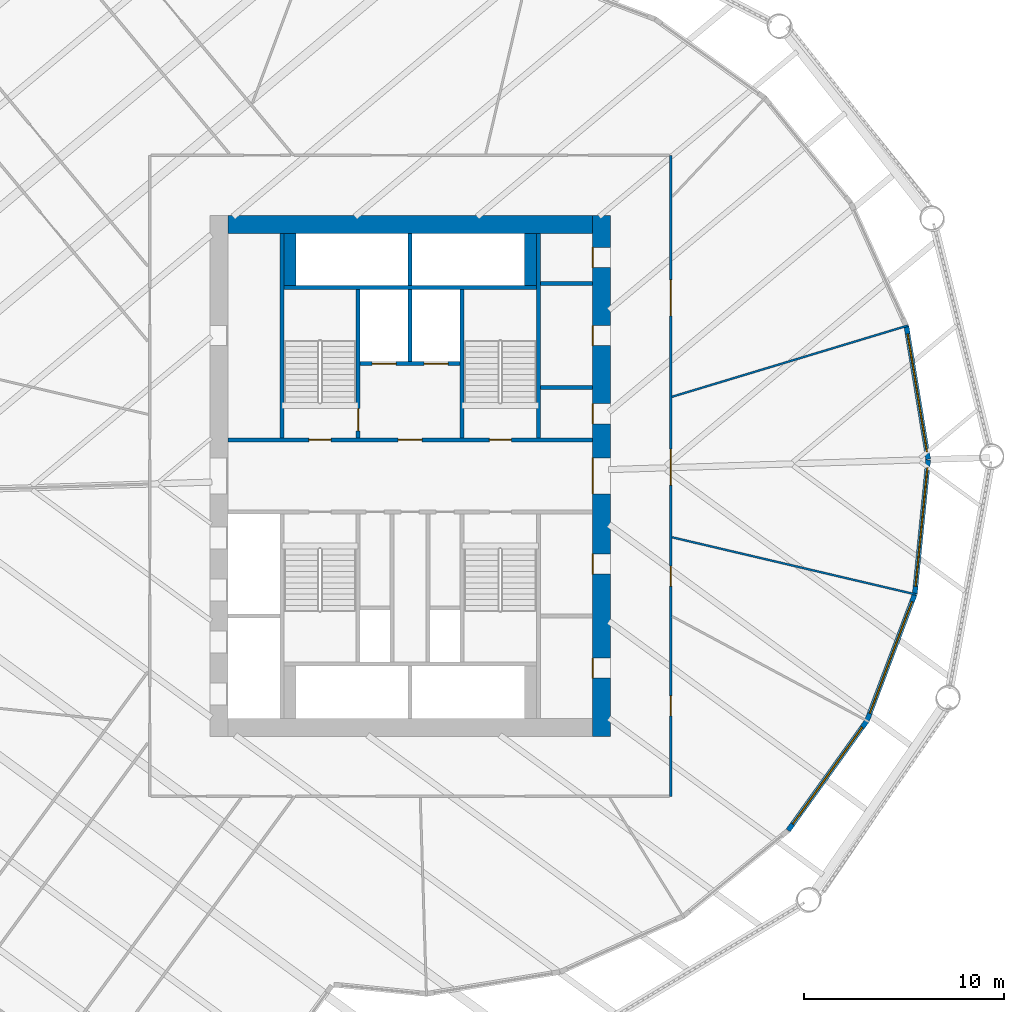
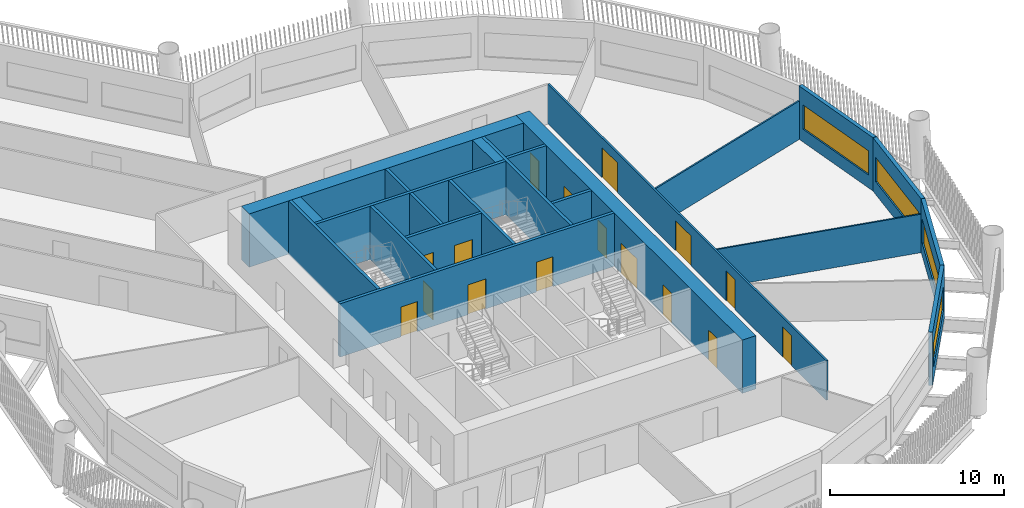
# One storey, part 5 of 15: 22 walls, 16 doors, 4 windows, 20 openings.
"""IFC4 building model written with IfcOpenShell, lengths in metres."""

from ifc_helpers import new_model, si_unit, direction, frame, frame_2d, origin, place, context, subcontext, project, spatial, rectangle, extrude, material, layer, layer_set, type_object, element, fill, save


model = new_model("IFC4")

# Units and contexts
model_context = context("Model", 3, precision=1e-05, world=origin(), true_north=direction((0.0, 1.0)))
body_context = subcontext(model_context, "Body", "Model", "MODEL_VIEW")
ifc_project = project(units=[si_unit("LENGTHUNIT", "METRE"), si_unit("AREAUNIT", "SQUARE_METRE"), si_unit("VOLUMEUNIT", "CUBIC_METRE"), si_unit("PLANEANGLEUNIT", "RADIAN"), si_unit("MASSUNIT", "GRAM", prefix="KILO")], contexts=[model_context])

# Site, building, storey
site_placement = place(None, origin())
site = spatial("IfcSite", under=ifc_project, at=site_placement, CompositionType="ELEMENT")
building_placement = place(site_placement, origin())
building = spatial("IfcBuilding", under=site, at=building_placement, Name="Tarsis Ring Headquarters", CompositionType="ELEMENT")
storey_placement = place(building_placement, frame((0.0, 0.0, 43.89990234375)))
storey = spatial("IfcBuildingStorey", under=building, at=storey_placement, Name="L08", CompositionType="ELEMENT", Elevation=43.89990234375)

# Walls
ifc_material_1 = material(Name="Blockwork", Category="masonry")
ifc_layer_1 = layer(ifc_material_1, 0.199951171875)
ifc_layer_set_1 = layer_set([ifc_layer_1], Name="Core blockwork wall 200")
wall_type_1 = type_object("IfcWallType", Name="Core blockwork wall 200", PredefinedType="PARTITIONING", material=ifc_layer_set_1)
for number, where, z_axis, x_axis, name in (
    (1, (6.5, 4.39990234375, 0.0), (0.0, 0.0, 1.0), (1.0, 0.0, 0.0), "Core partition ED5"),
    (2, (6.5, 9.60009765625, 0.0), (0.0, 0.0, 1.0), (1.0, 0.0, 0.0), "Core partition ED7"),
):
    element("IfcWall", number, at=place(storey_placement, frame(where, z_axis=z_axis, x_axis=x_axis)), inside=storey, type_object=wall_type_1, Name=name, PredefinedType="PARTITIONING", context=body_context, shape_type="SweptSolid", body=[
        extrude(rectangle(XDim=2.60009765625, YDim=0.199951171875, at=frame_2d((1.300048828125, 0.0))), origin(), (0.0, 0.0, 1.0), 3.739990234375),
    ])

# Wall, openings, doors
ifc_material_2 = material(Name="Concrete C60/75", Category="concrete")
ifc_layer_2 = layer(ifc_material_2, 0.89990234375)
ifc_layer_set_2 = layer_set([ifc_layer_2], Name="Core wall 900 C60/75")
wall_type_2 = type_object("IfcWallType", Name="Core wall 900 C60/75", PredefinedType="SHEAR", material=ifc_layer_set_2)
wall_1_placement = place(storey_placement, frame((9.550048828125, -13.0, 0.0), z_axis=(0.0, 0.0, 1.0), x_axis=(0.0, 1.0, 0.0)))
wall_1 = element("IfcWall", 3, at=wall_1_placement, inside=storey, type_object=wall_type_2, Name="Core wall OE", PredefinedType="SHEAR", context=body_context, shape_type="SweptSolid", body=[
    extrude(rectangle(XDim=26.0, YDim=0.89990234375, at=frame_2d((13.0, 0.0))), origin(), (0.0, 0.0, 1.0), 3.739990234375),
])
opening_1_placement = place(wall_1_placement, frame((2.89990234375, 0.0, 0.0)))
opening_1 = element("IfcOpeningElement", 4, at=opening_1_placement, cuts=wall_1, Name="Opening L08-C07", PredefinedType="OPENING", context=body_context, shape_type="SweptSolid", body=[
    extrude(rectangle(XDim=1.0, YDim=2.10009765625, at=frame_2d((0.5, 1.050048828125))), frame((0.0, 0.4599609375, 0.0), z_axis=(0.0, -1.0, 0.0), x_axis=(1.0, 0.0, 0.0)), (0.0, 0.0, 1.0), 0.919921875),
])
opening_2_placement = place(wall_1_placement, frame((8.10009765625, 0.0, 0.0)))
opening_2 = element("IfcOpeningElement", 5, at=opening_2_placement, cuts=wall_1, Name="Opening L08-C08", PredefinedType="OPENING", context=body_context, shape_type="SweptSolid", body=[
    extrude(rectangle(XDim=1.0, YDim=2.10009765625, at=frame_2d((0.5, 1.050048828125))), frame((0.0, 0.4599609375, 0.0), z_axis=(0.0, -1.0, 0.0), x_axis=(1.0, 0.0, 0.0)), (0.0, 0.0, 1.0), 0.919921875),
])
opening_3_placement = place(wall_1_placement, frame((12.10009765625, 0.0, 0.0)))
opening_3 = element("IfcOpeningElement", 6, at=opening_3_placement, cuts=wall_1, Name="Opening L08-C09", PredefinedType="OPENING", context=body_context, shape_type="SweptSolid", body=[
    extrude(rectangle(XDim=1.800048828125, YDim=2.10009765625, at=frame_2d((0.89990234375, 1.050048828125))), frame((0.0, 0.4599609375, 0.0), z_axis=(0.0, -1.0, 0.0), x_axis=(1.0, 0.0, 0.0)), (0.0, 0.0, 1.0), 0.919921875),
])
opening_4_placement = place(wall_1_placement, frame((15.60009765625, 0.0, 0.0)))
opening_4 = element("IfcOpeningElement", 7, at=opening_4_placement, cuts=wall_1, Name="Opening L08-C10", PredefinedType="OPENING", context=body_context, shape_type="SweptSolid", body=[
    extrude(rectangle(XDim=1.0, YDim=2.10009765625, at=frame_2d((0.5, 1.050048828125))), frame((0.0, 0.4599609375, 0.0), z_axis=(0.0, -1.0, 0.0), x_axis=(1.0, 0.0, 0.0)), (0.0, 0.0, 1.0), 0.919921875),
])
opening_5_placement = place(wall_1_placement, frame((19.5, 0.0, 0.0)))
opening_5 = element("IfcOpeningElement", 8, at=opening_5_placement, cuts=wall_1, Name="Opening L08-C11", PredefinedType="OPENING", context=body_context, shape_type="SweptSolid", body=[
    extrude(rectangle(XDim=1.0, YDim=2.10009765625, at=frame_2d((0.5, 1.050048828125))), frame((0.0, 0.4599609375, 0.0), z_axis=(0.0, -1.0, 0.0), x_axis=(1.0, 0.0, 0.0)), (0.0, 0.0, 1.0), 0.919921875),
])
opening_6_placement = place(wall_1_placement, frame((23.39990234375, 0.0, 0.0)))
opening_6 = element("IfcOpeningElement", 9, at=opening_6_placement, cuts=wall_1, Name="Opening L08-C12", PredefinedType="OPENING", context=body_context, shape_type="SweptSolid", body=[
    extrude(rectangle(XDim=1.0, YDim=2.10009765625, at=frame_2d((0.5, 1.050048828125))), frame((0.0, 0.4599609375, 0.0), z_axis=(0.0, -1.0, 0.0), x_axis=(1.0, 0.0, 0.0)), (0.0, 0.0, 1.0), 0.919921875),
])
ifc_material_3 = material(Name="Steel S355", Category="steel")
door_type_1 = type_object("IfcDoorType", Name="Core entry door 1800x2100", OperationType="DOUBLE_DOOR_SINGLE_SWING", PredefinedType="DOOR", material=ifc_material_3)
door_1_placement = place(opening_3_placement, origin())
door_1 = element("IfcDoor", 10, at=door_1_placement, inside=storey, type_object=door_type_1, Name="Core entry door L08", OperationType="DOUBLE_DOOR_SINGLE_SWING", OverallHeight=2.10009765625, OverallWidth=1.800048828125, PredefinedType="DOOR", context=body_context, shape_type="SweptSolid", body=[
    extrude(rectangle(XDim=1.800048828125, YDim=2.10009765625, at=frame_2d((0.89990234375, 1.050048828125))), frame((0.0, 0.4501953125, 0.0), z_axis=(0.0, -1.0, 0.0), x_axis=(1.0, 0.0, 0.0)), (0.0, 0.0, 1.0), 0.050048828125),
])
fill(opening_3, door_1)
door_type_2 = type_object("IfcDoorType", Name="Core room door 1000x2100", OperationType="SINGLE_SWING_LEFT", PredefinedType="DOOR", material=ifc_material_3)
door_2_placement = place(opening_1_placement, origin())
door_2 = element("IfcDoor", 11, at=door_2_placement, inside=storey, type_object=door_type_2, Name="Core room door L08", OperationType="SINGLE_SWING_LEFT", OverallHeight=2.10009765625, OverallWidth=1.0, PredefinedType="DOOR", context=body_context, shape_type="SweptSolid", body=[
    extrude(rectangle(XDim=1.0, YDim=2.10009765625, at=frame_2d((0.5, 1.050048828125))), frame((0.0, 0.4501953125, 0.0), z_axis=(0.0, -1.0, 0.0), x_axis=(1.0, 0.0, 0.0)), (0.0, 0.0, 1.0), 0.050048828125),
])
fill(opening_1, door_2)
door_3_placement = place(opening_2_placement, origin())
door_3 = element("IfcDoor", 12, at=door_3_placement, inside=storey, type_object=door_type_2, Name="Core room door L08", OperationType="SINGLE_SWING_LEFT", OverallHeight=2.10009765625, OverallWidth=1.0, PredefinedType="DOOR", context=body_context, shape_type="SweptSolid", body=[
    extrude(rectangle(XDim=1.0, YDim=2.10009765625, at=frame_2d((0.5, 1.050048828125))), frame((0.0, 0.4501953125, 0.0), z_axis=(0.0, -1.0, 0.0), x_axis=(1.0, 0.0, 0.0)), (0.0, 0.0, 1.0), 0.050048828125),
])
fill(opening_2, door_3)
door_4_placement = place(opening_4_placement, origin())
door_4 = element("IfcDoor", 13, at=door_4_placement, inside=storey, type_object=door_type_2, Name="Core room door L08", OperationType="SINGLE_SWING_LEFT", OverallHeight=2.10009765625, OverallWidth=1.0, PredefinedType="DOOR", context=body_context, shape_type="SweptSolid", body=[
    extrude(rectangle(XDim=1.0, YDim=2.10009765625, at=frame_2d((0.5, 1.050048828125))), frame((0.0, 0.4501953125, 0.0), z_axis=(0.0, -1.0, 0.0), x_axis=(1.0, 0.0, 0.0)), (0.0, 0.0, 1.0), 0.050048828125),
])
fill(opening_4, door_4)
door_5_placement = place(opening_5_placement, origin())
door_5 = element("IfcDoor", 14, at=door_5_placement, inside=storey, type_object=door_type_2, Name="Core room door L08", OperationType="SINGLE_SWING_LEFT", OverallHeight=2.10009765625, OverallWidth=1.0, PredefinedType="DOOR", context=body_context, shape_type="SweptSolid", body=[
    extrude(rectangle(XDim=1.0, YDim=2.10009765625, at=frame_2d((0.5, 1.050048828125))), frame((0.0, 0.4501953125, 0.0), z_axis=(0.0, -1.0, 0.0), x_axis=(1.0, 0.0, 0.0)), (0.0, 0.0, 1.0), 0.050048828125),
])
fill(opening_5, door_5)
door_6_placement = place(opening_6_placement, origin())
door_6 = element("IfcDoor", 15, at=door_6_placement, inside=storey, type_object=door_type_2, Name="Core room door L08", OperationType="SINGLE_SWING_LEFT", OverallHeight=2.10009765625, OverallWidth=1.0, PredefinedType="DOOR", context=body_context, shape_type="SweptSolid", body=[
    extrude(rectangle(XDim=1.0, YDim=2.10009765625, at=frame_2d((0.5, 1.050048828125))), frame((0.0, 0.4501953125, 0.0), z_axis=(0.0, -1.0, 0.0), x_axis=(1.0, 0.0, 0.0)), (0.0, 0.0, 1.0), 0.050048828125),
])
fill(opening_6, door_6)

# Walls
wall_2_placement = place(storey_placement, frame((-9.10009765625, 12.550048828125, 0.0), z_axis=(0.0, 0.0, 1.0), x_axis=(1.0, 0.0, 0.0)))
element("IfcWall", 16, at=wall_2_placement, inside=storey, type_object=wall_type_2, Name="Core wall ON", PredefinedType="SHEAR", context=body_context, shape_type="SweptSolid", body=[
    extrude(rectangle(XDim=18.2001953125, YDim=0.89990234375, at=frame_2d((9.10009765625, 0.0))), origin(), (0.0, 0.0, 1.0), 3.739990234375),
])
ifc_material_4 = material(Name="Gypsum board on steel studs", Category="steel")
ifc_layer_3 = layer(ifc_material_4, 0.10009765625)
ifc_layer_set_3 = layer_set([ifc_layer_3], Name="FL partition 100 unrated")
wall_type_3 = type_object("IfcWallType", Name="FL partition 100 unrated", PredefinedType="PARTITIONING", material=ifc_layer_set_3)
wall_3_placement = place(storey_placement, frame((13.068115234375, -3.065185546875, 0.0), z_axis=(0.0, 0.0, 1.0), x_axis=(0.973578742912, -0.228351552109, 0.0)))
element("IfcWall", 17, at=wall_3_placement, inside=storey, type_object=wall_type_3, Name="Partition PW3", PredefinedType="PARTITIONING", context=body_context, shape_type="SweptSolid", body=[
    extrude(rectangle(XDim=12.52490234375, YDim=0.10009765625, at=frame_2d((6.262451171875, 0.0))), origin(), (0.0, 0.0, 1.0), 2.7001953125),
])
wall_4_placement = place(storey_placement, frame((13.06689453125, 3.9453125, 0.0), z_axis=(0.0, 0.0, 1.0), x_axis=(0.957323254589, 0.289019352678, 0.0)))
element("IfcWall", 18, at=wall_4_placement, inside=storey, type_object=wall_type_3, Name="Partition PW3", PredefinedType="PARTITIONING", context=body_context, shape_type="SweptSolid", body=[
    extrude(rectangle(XDim=12.29833984375, YDim=0.10009765625, at=frame_2d((6.149169921875, 0.0))), origin(), (0.0, 0.0, 1.0), 2.7001953125),
])

# Wall, openings, doors
ifc_layer_4 = layer(ifc_material_4, 0.125)
ifc_layer_set_4 = layer_set([ifc_layer_4], Name="FL partition 125 EI 60 H2770")
wall_type_4 = type_object("IfcWallType", Name="FL partition 125 EI 60 H2770", PredefinedType="PARTITIONING", material=ifc_layer_set_4)
wall_5_placement = place(storey_placement, frame((13.0, -16.0, 0.0), z_axis=(0.0, 0.0, 1.0), x_axis=(0.0, 1.0, 0.0)))
wall_5 = element("IfcWall", 19, at=wall_5_placement, inside=storey, type_object=wall_type_4, Name="Partition PW1", PredefinedType="PARTITIONING", context=body_context, shape_type="SweptSolid", body=[
    extrude(rectangle(XDim=32.0, YDim=0.125, at=frame_2d((16.0, 0.0))), origin(), (0.0, 0.0, 1.0), 2.77001953125),
])
opening_7_placement = place(wall_5_placement, frame((23.984375, 0.0, 0.0)))
opening_7 = element("IfcOpeningElement", 20, at=opening_7_placement, cuts=wall_5, Name="Opening D08.06", PredefinedType="OPENING", context=body_context, shape_type="SweptSolid", body=[
    extrude(rectangle(XDim=1.800048828125, YDim=2.10009765625, at=frame_2d((0.89990234375, 1.050048828125))), frame((0.0, 0.072509765625, 0.0), z_axis=(0.0, -1.0, 0.0), x_axis=(1.0, 0.0, 0.0)), (0.0, 0.0, 1.0), 0.14501953125),
])
opening_8_placement = place(wall_5_placement, frame((15.537841796875, 0.0, 0.0)))
opening_8 = element("IfcOpeningElement", 21, at=opening_8_placement, cuts=wall_5, Name="Opening D08.07", PredefinedType="OPENING", context=body_context, shape_type="SweptSolid", body=[
    extrude(rectangle(XDim=1.800048828125, YDim=2.10009765625, at=frame_2d((0.89990234375, 1.050048828125))), frame((0.0, 0.072509765625, 0.0), z_axis=(0.0, -1.0, 0.0), x_axis=(1.0, 0.0, 0.0)), (0.0, 0.0, 1.0), 0.14501953125),
])
opening_9_placement = place(wall_5_placement, frame((10.490234375, 0.0, 0.0)))
opening_9 = element("IfcOpeningElement", 22, at=opening_9_placement, cuts=wall_5, Name="Opening D08.08", PredefinedType="OPENING", context=body_context, shape_type="SweptSolid", body=[
    extrude(rectangle(XDim=1.0, YDim=2.10009765625, at=frame_2d((0.5, 1.050048828125))), frame((0.0, 0.072509765625, 0.0), z_axis=(0.0, -1.0, 0.0), x_axis=(1.0, 0.0, 0.0)), (0.0, 0.0, 1.0), 0.14501953125),
])
opening_10_placement = place(wall_5_placement, frame((4.0146484375, 0.0, 0.0)))
opening_10 = element("IfcOpeningElement", 23, at=opening_10_placement, cuts=wall_5, Name="Opening D08.09", PredefinedType="OPENING", context=body_context, shape_type="SweptSolid", body=[
    extrude(rectangle(XDim=1.0, YDim=2.10009765625, at=frame_2d((0.5, 1.050048828125))), frame((0.0, 0.072509765625, 0.0), z_axis=(0.0, -1.0, 0.0), x_axis=(1.0, 0.0, 0.0)), (0.0, 0.0, 1.0), 0.14501953125),
])
ifc_material_5 = material(Name="Fire-rated timber door leaf in steel frame", Category="steel")
door_type_3 = type_object("IfcDoorType", Name="FL door FD60-1000", OperationType="NOTDEFINED", PredefinedType="DOOR", material=ifc_material_5)
door_7_placement = place(opening_9_placement, origin())
door_7 = element("IfcDoor", 24, at=door_7_placement, inside=storey, type_object=door_type_3, Name="Door D08.08", OperationType="SINGLE_SWING_RIGHT", OverallHeight=2.10009765625, OverallWidth=1.0, PredefinedType="DOOR", context=body_context, shape_type="SweptSolid", body=[
    extrude(rectangle(XDim=1.0, YDim=2.10009765625, at=frame_2d((0.5, 1.050048828125))), frame((0.0, 0.02490234375, 0.0), z_axis=(0.0, -1.0, 0.0), x_axis=(1.0, 0.0, 0.0)), (0.0, 0.0, 1.0), 0.050048828125),
])
fill(opening_9, door_7)
door_8_placement = place(opening_10_placement, origin())
door_8 = element("IfcDoor", 25, at=door_8_placement, inside=storey, type_object=door_type_3, Name="Door D08.09", OperationType="SINGLE_SWING_LEFT", OverallHeight=2.10009765625, OverallWidth=1.0, PredefinedType="DOOR", context=body_context, shape_type="SweptSolid", body=[
    extrude(rectangle(XDim=1.0, YDim=2.10009765625, at=frame_2d((0.5, 1.050048828125))), frame((0.0, 0.02490234375, 0.0), z_axis=(0.0, -1.0, 0.0), x_axis=(1.0, 0.0, 0.0)), (0.0, 0.0, 1.0), 0.050048828125),
])
fill(opening_10, door_8)
door_type_4 = type_object("IfcDoorType", Name="FL door FD60-1800", OperationType="DOUBLE_DOOR_SINGLE_SWING", PredefinedType="DOOR", material=ifc_material_5)
door_9_placement = place(opening_7_placement, origin())
door_9 = element("IfcDoor", 26, at=door_9_placement, inside=storey, type_object=door_type_4, Name="Door D08.06", OperationType="DOUBLE_DOOR_SINGLE_SWING", OverallHeight=2.10009765625, OverallWidth=1.800048828125, PredefinedType="DOOR", context=body_context, shape_type="SweptSolid", body=[
    extrude(rectangle(XDim=1.800048828125, YDim=2.10009765625, at=frame_2d((0.89990234375, 1.050048828125))), frame((0.0, 0.02490234375, 0.0), z_axis=(0.0, -1.0, 0.0), x_axis=(1.0, 0.0, 0.0)), (0.0, 0.0, 1.0), 0.050048828125),
])
fill(opening_7, door_9)
door_10_placement = place(opening_8_placement, origin())
door_10 = element("IfcDoor", 27, at=door_10_placement, inside=storey, type_object=door_type_4, Name="Door D08.07", OperationType="DOUBLE_DOOR_SINGLE_SWING", OverallHeight=2.10009765625, OverallWidth=1.800048828125, PredefinedType="DOOR", context=body_context, shape_type="SweptSolid", body=[
    extrude(rectangle(XDim=1.800048828125, YDim=2.10009765625, at=frame_2d((0.89990234375, 1.050048828125))), frame((0.0, 0.02490234375, 0.0), z_axis=(0.0, -1.0, 0.0), x_axis=(1.0, 0.0, 0.0)), (0.0, 0.0, 1.0), 0.050048828125),
])
fill(opening_8, door_10)

# Wall, opening, window
ifc_material_6 = material(Name="Terracotta clad insulated panel wall", Category="masonry")
ifc_layer_5 = layer(ifc_material_6, 0.25)
ifc_layer_set_5 = layer_set([ifc_layer_5], Name="Facade wall terracotta panel 250")
wall_type_5 = type_object("IfcWallType", Name="Facade wall terracotta panel 250", PredefinedType="STANDARD", material=ifc_layer_set_5)
wall_6_placement = place(storey_placement, frame((18.870849609375, -17.698486328125, 0.0), z_axis=(0.0, 0.0, 1.0), x_axis=(0.583544737321, 0.812080993217, 0.0)))
wall_6 = element("IfcWall", 28, at=wall_6_placement, inside=storey, type_object=wall_type_5, Name="External wall L08-21", PredefinedType="STANDARD", context=body_context, shape_type="SweptSolid", body=[
    extrude(rectangle(XDim=6.7216796875, YDim=0.25, at=frame_2d((3.36083984375, 0.0))), origin(), (0.0, 0.0, 1.0), 3.739990234375),
])
opening_11_placement = place(wall_6_placement, frame((0.3857421875, 0.0, 0.89990234375)))
opening_11 = element("IfcOpeningElement", 29, at=opening_11_placement, cuts=wall_6, Name="Opening WN07", PredefinedType="OPENING", context=body_context, shape_type="SweptSolid", body=[
    extrude(rectangle(XDim=5.949951171875, YDim=1.699951171875, at=frame_2d((2.97509765625, 0.85009765625))), frame((0.0, 0.135009765625, 0.0), z_axis=(0.0, -1.0, 0.0), x_axis=(1.0, 0.0, 0.0)), (0.0, 0.0, 1.0), 0.27001953125),
])
ifc_material_7 = material(Name="Aluminium framed double glazing", Category="aluminium")
window_type = type_object("IfcWindowType", Name="Facade window 5950 x 1700", PartitioningType="SINGLE_PANEL", PredefinedType="WINDOW", material=ifc_material_7)
window_1_placement = place(opening_11_placement, origin())
window_1 = element("IfcWindow", 30, at=window_1_placement, inside=storey, type_object=window_type, Name="Window L08-21.1", OverallHeight=1.699951171875, OverallWidth=5.949951171875, PartitioningType="SINGLE_PANEL", PredefinedType="WINDOW", context=body_context, shape_type="SweptSolid", body=[
    extrude(rectangle(XDim=5.949951171875, YDim=1.699951171875, at=frame_2d((2.97509765625, 0.85009765625))), frame((0.0, 0.030029296875, 0.0), z_axis=(0.0, -1.0, 0.0), x_axis=(1.0, 0.0, 0.0)), (0.0, 0.0, 1.0), 0.06005859375),
])
fill(opening_11, window_1)

wall_7_placement = place(storey_placement, frame((22.80859375, -12.21142578125, 0.0), z_axis=(0.0, 0.0, 1.0), x_axis=(0.353486741967, 0.935439534793, 0.0)))
wall_7 = element("IfcWall", 31, at=wall_7_placement, inside=storey, type_object=wall_type_5, Name="External wall L08-22", PredefinedType="STANDARD", context=body_context, shape_type="SweptSolid", body=[
    extrude(rectangle(XDim=6.721435546875, YDim=0.25, at=frame_2d((3.36083984375, 0.0))), origin(), (0.0, 0.0, 1.0), 3.739990234375),
])
opening_12_placement = place(wall_7_placement, frame((0.3857421875, 0.0, 0.89990234375)))
opening_12 = element("IfcOpeningElement", 32, at=opening_12_placement, cuts=wall_7, Name="Opening WN07", PredefinedType="OPENING", context=body_context, shape_type="SweptSolid", body=[
    extrude(rectangle(XDim=5.949951171875, YDim=1.699951171875, at=frame_2d((2.97509765625, 0.85009765625))), frame((0.0, 0.135009765625, 0.0), z_axis=(0.0, -1.0, 0.0), x_axis=(1.0, 0.0, 0.0)), (0.0, 0.0, 1.0), 0.27001953125),
])
window_2_placement = place(opening_12_placement, origin())
window_2 = element("IfcWindow", 33, at=window_2_placement, inside=storey, type_object=window_type, Name="Window L08-22.1", OverallHeight=1.699951171875, OverallWidth=5.949951171875, PartitioningType="SINGLE_PANEL", PredefinedType="WINDOW", context=body_context, shape_type="SweptSolid", body=[
    extrude(rectangle(XDim=5.949951171875, YDim=1.699951171875, at=frame_2d((2.97509765625, 0.85009765625))), frame((0.0, 0.030029296875, 0.0), z_axis=(0.0, -1.0, 0.0), x_axis=(1.0, 0.0, 0.0)), (0.0, 0.0, 1.0), 0.06005859375),
])
fill(opening_12, window_2)

wall_8_placement = place(storey_placement, frame((25.19189453125, -5.891845703125, 0.0), z_axis=(0.0, 0.0, 1.0), x_axis=(0.099341885033, 0.995053360317, 0.0)))
wall_8 = element("IfcWall", 34, at=wall_8_placement, inside=storey, type_object=wall_type_5, Name="External wall L08-23", PredefinedType="STANDARD", context=body_context, shape_type="SweptSolid", body=[
    extrude(rectangle(XDim=6.721435546875, YDim=0.25, at=frame_2d((3.36083984375, 0.0))), origin(), (0.0, 0.0, 1.0), 3.739990234375),
])
opening_13_placement = place(wall_8_placement, frame((0.3857421875, 0.0, 0.89990234375)))
opening_13 = element("IfcOpeningElement", 35, at=opening_13_placement, cuts=wall_8, Name="Opening WN07", PredefinedType="OPENING", context=body_context, shape_type="SweptSolid", body=[
    extrude(rectangle(XDim=5.949951171875, YDim=1.699951171875, at=frame_2d((2.97509765625, 0.85009765625))), frame((0.0, 0.135009765625, 0.0), z_axis=(0.0, -1.0, 0.0), x_axis=(1.0, 0.0, 0.0)), (0.0, 0.0, 1.0), 0.27001953125),
])
window_3_placement = place(opening_13_placement, origin())
window_3 = element("IfcWindow", 36, at=window_3_placement, inside=storey, type_object=window_type, Name="Window L08-23.1", OverallHeight=1.699951171875, OverallWidth=5.949951171875, PartitioningType="SINGLE_PANEL", PredefinedType="WINDOW", context=body_context, shape_type="SweptSolid", body=[
    extrude(rectangle(XDim=5.949951171875, YDim=1.699951171875, at=frame_2d((2.97509765625, 0.85009765625))), frame((0.0, 0.030029296875, 0.0), z_axis=(0.0, -1.0, 0.0), x_axis=(1.0, 0.0, 0.0)), (0.0, 0.0, 1.0), 0.06005859375),
])
fill(opening_13, window_3)

wall_9_placement = place(storey_placement, frame((25.8583984375, 0.828857421875, 0.0), z_axis=(0.0, 0.0, 1.0), x_axis=(-0.161594690261, 0.986857211596, 0.0)))
wall_9 = element("IfcWall", 37, at=wall_9_placement, inside=storey, type_object=wall_type_5, Name="External wall L08-24", PredefinedType="STANDARD", context=body_context, shape_type="SweptSolid", body=[
    extrude(rectangle(XDim=6.7216796875, YDim=0.25, at=frame_2d((3.36083984375, 0.0))), origin(), (0.0, 0.0, 1.0), 3.739990234375),
])
opening_14_placement = place(wall_9_placement, frame((0.3857421875, 0.0, 0.89990234375)))
opening_14 = element("IfcOpeningElement", 38, at=opening_14_placement, cuts=wall_9, Name="Opening WN07", PredefinedType="OPENING", context=body_context, shape_type="SweptSolid", body=[
    extrude(rectangle(XDim=5.949951171875, YDim=1.699951171875, at=frame_2d((2.97509765625, 0.85009765625))), frame((0.0, 0.135009765625, 0.0), z_axis=(0.0, -1.0, 0.0), x_axis=(1.0, 0.0, 0.0)), (0.0, 0.0, 1.0), 0.27001953125),
])
window_4_placement = place(opening_14_placement, origin())
window_4 = element("IfcWindow", 39, at=window_4_placement, inside=storey, type_object=window_type, Name="Window L08-24.1", OverallHeight=1.699951171875, OverallWidth=5.949951171875, PartitioningType="SINGLE_PANEL", PredefinedType="WINDOW", context=body_context, shape_type="SweptSolid", body=[
    extrude(rectangle(XDim=5.949951171875, YDim=1.699951171875, at=frame_2d((2.97509765625, 0.85009765625))), frame((0.0, 0.030029296875, 0.0), z_axis=(0.0, -1.0, 0.0), x_axis=(1.0, 0.0, 0.0)), (0.0, 0.0, 1.0), 0.06005859375),
])
fill(opening_14, window_4)

# Walls
ifc_material_8 = material(Name="Concrete C32/40", Category="concrete")
ifc_layer_6 = layer(ifc_material_8, 0.60009765625)
ifc_layer_set_6 = layer_set([ifc_layer_6], Name="Shaft end wall 600 C32/40")
wall_type_6 = type_object("IfcWallType", Name="Shaft end wall 600 C32/40", PredefinedType="SOLIDWALL", material=ifc_layer_set_6)
for number, where, z_axis, x_axis, name in (
    (40, (-6.0, 9.5, 0.0), (0.0, 0.0, 1.0), (0.0, 1.0, 0.0), "Core shaft wall NNE1"),
    (41, (6.0, 9.5, 0.0), (0.0, 0.0, 1.0), (0.0, 1.0, 0.0), "Core shaft wall NNE2"),
):
    element("IfcWall", number, at=place(storey_placement, frame(where, z_axis=z_axis, x_axis=x_axis)), inside=storey, type_object=wall_type_6, Name=name, PredefinedType="SOLIDWALL", context=body_context, shape_type="SweptSolid", body=[
        extrude(rectangle(XDim=2.60009765625, YDim=0.60009765625, at=frame_2d((1.300048828125, 0.0))), origin(), (0.0, 0.0, 1.0), 3.739990234375),
    ])

# Wall, openings, doors
ifc_layer_7 = layer(ifc_material_8, 0.199951171875)
ifc_layer_set_7 = layer_set([ifc_layer_7], Name="Shaft wall 200 C32/40")
wall_type_7 = type_object("IfcWallType", Name="Shaft wall 200 C32/40", PredefinedType="SOLIDWALL", material=ifc_layer_set_7)
wall_10_placement = place(storey_placement, frame((-9.10009765625, 1.800048828125, 0.0), z_axis=(0.0, 0.0, 1.0), x_axis=(1.0, 0.0, 0.0)))
wall_10 = element("IfcWall", 42, at=wall_10_placement, inside=storey, type_object=wall_type_7, Name="Core shaft wall CN", PredefinedType="SOLIDWALL", context=body_context, shape_type="SweptSolid", body=[
    extrude(rectangle(XDim=18.2001953125, YDim=0.199951171875, at=frame_2d((9.10009765625, 0.0))), origin(), (0.0, 0.0, 1.0), 3.739990234375),
])
opening_15_placement = place(wall_10_placement, frame((4.050048828125, 0.0, 0.0)))
opening_15 = element("IfcOpeningElement", 43, at=opening_15_placement, cuts=wall_10, Name="Opening L08-C13", PredefinedType="OPENING", context=body_context, shape_type="SweptSolid", body=[
    extrude(rectangle(XDim=1.10009765625, YDim=2.10009765625, at=frame_2d((0.550048828125, 1.050048828125))), frame((0.0, 0.10986328125, 0.0), z_axis=(0.0, -1.0, 0.0), x_axis=(1.0, 0.0, 0.0)), (0.0, 0.0, 1.0), 0.219970703125),
])
opening_16_placement = place(wall_10_placement, frame((8.5, 0.0, 0.0)))
opening_16 = element("IfcOpeningElement", 44, at=opening_16_placement, cuts=wall_10, Name="Opening L08-C14", PredefinedType="OPENING", context=body_context, shape_type="SweptSolid", body=[
    extrude(rectangle(XDim=1.199951171875, YDim=2.10009765625, at=frame_2d((0.60009765625, 1.050048828125))), frame((0.0, 0.10986328125, 0.0), z_axis=(0.0, -1.0, 0.0), x_axis=(1.0, 0.0, 0.0)), (0.0, 0.0, 1.0), 0.219970703125),
])
opening_17_placement = place(wall_10_placement, frame((13.050048828125, 0.0, 0.0)))
opening_17 = element("IfcOpeningElement", 45, at=opening_17_placement, cuts=wall_10, Name="Opening L08-C15", PredefinedType="OPENING", context=body_context, shape_type="SweptSolid", body=[
    extrude(rectangle(XDim=1.10009765625, YDim=2.10009765625, at=frame_2d((0.550048828125, 1.050048828125))), frame((0.0, 0.10986328125, 0.0), z_axis=(0.0, -1.0, 0.0), x_axis=(1.0, 0.0, 0.0)), (0.0, 0.0, 1.0), 0.219970703125),
])
door_type_5 = type_object("IfcDoorType", Name="Firefighting lobby door 1200x2100", OperationType="DOUBLE_DOOR_SINGLE_SWING", PredefinedType="DOOR", material=ifc_material_3)
door_11_placement = place(opening_16_placement, origin())
door_11 = element("IfcDoor", 46, at=door_11_placement, inside=storey, type_object=door_type_5, Name="Firefighting lobby door L08", OperationType="DOUBLE_DOOR_SINGLE_SWING", OverallHeight=2.10009765625, OverallWidth=1.199951171875, PredefinedType="DOOR", context=body_context, shape_type="SweptSolid", body=[
    extrude(rectangle(XDim=1.199951171875, YDim=2.10009765625, at=frame_2d((0.60009765625, 1.050048828125))), frame((0.0, 0.02490234375, 0.0), z_axis=(0.0, -1.0, 0.0), x_axis=(1.0, 0.0, 0.0)), (0.0, 0.0, 1.0), 0.050048828125),
])
fill(opening_16, door_11)
door_type_6 = type_object("IfcDoorType", Name="Stair door 1100x2100", OperationType="SINGLE_SWING_LEFT", PredefinedType="DOOR", material=ifc_material_3)
door_12_placement = place(opening_15_placement, origin())
door_12 = element("IfcDoor", 47, at=door_12_placement, inside=storey, type_object=door_type_6, Name="Stair door L08", OperationType="SINGLE_SWING_LEFT", OverallHeight=2.10009765625, OverallWidth=1.10009765625, PredefinedType="DOOR", context=body_context, shape_type="SweptSolid", body=[
    extrude(rectangle(XDim=1.10009765625, YDim=2.10009765625, at=frame_2d((0.550048828125, 1.050048828125))), frame((0.0, 0.02490234375, 0.0), z_axis=(0.0, -1.0, 0.0), x_axis=(1.0, 0.0, 0.0)), (0.0, 0.0, 1.0), 0.050048828125),
])
fill(opening_15, door_12)
door_13_placement = place(opening_17_placement, origin())
door_13 = element("IfcDoor", 48, at=door_13_placement, inside=storey, type_object=door_type_6, Name="Stair door L08", OperationType="SINGLE_SWING_LEFT", OverallHeight=2.10009765625, OverallWidth=1.10009765625, PredefinedType="DOOR", context=body_context, shape_type="SweptSolid", body=[
    extrude(rectangle(XDim=1.10009765625, YDim=2.10009765625, at=frame_2d((0.550048828125, 1.050048828125))), frame((0.0, 0.02490234375, 0.0), z_axis=(0.0, -1.0, 0.0), x_axis=(1.0, 0.0, 0.0)), (0.0, 0.0, 1.0), 0.050048828125),
])
fill(opening_17, door_13)

# Walls
for number, where, z_axis, x_axis, name in (
    (49, (-6.39990234375, 1.89990234375, 0.0), (0.0, 0.0, 1.0), (0.0, 1.0, 0.0), "Core shaft wall WB2"),
    (50, (6.39990234375, 1.89990234375, 0.0), (0.0, 0.0, 1.0), (0.0, 1.0, 0.0), "Core shaft wall EB2"),
):
    element("IfcWall", number, at=place(storey_placement, frame(where, z_axis=z_axis, x_axis=x_axis)), inside=storey, type_object=wall_type_7, Name=name, PredefinedType="SOLIDWALL", context=body_context, shape_type="SweptSolid", body=[
        extrude(rectangle(XDim=10.2001953125, YDim=0.199951171875, at=frame_2d((5.10009765625, 0.0))), origin(), (0.0, 0.0, 1.0), 3.739990234375),
    ])
wall_11_placement = place(storey_placement, frame((-6.300048828125, 9.39990234375, 0.0), z_axis=(0.0, 0.0, 1.0), x_axis=(1.0, 0.0, 0.0)))
element("IfcWall", 51, at=wall_11_placement, inside=storey, type_object=wall_type_7, Name="Core shaft wall NB", PredefinedType="SOLIDWALL", context=body_context, shape_type="SweptSolid", body=[
    extrude(rectangle(XDim=12.60009765625, YDim=0.199951171875, at=frame_2d((6.300048828125, 0.0))), origin(), (0.0, 0.0, 1.0), 3.739990234375),
])

# Wall, opening, door
wall_12_placement = place(storey_placement, frame((-2.60009765625, 1.89990234375, 0.0), z_axis=(0.0, 0.0, 1.0), x_axis=(0.0, 1.0, 0.0)))
wall_12 = element("IfcWall", 52, at=wall_12_placement, inside=storey, type_object=wall_type_7, Name="Core shaft wall SW1", PredefinedType="SOLIDWALL", context=body_context, shape_type="SweptSolid", body=[
    extrude(rectangle(XDim=7.400146484375, YDim=0.199951171875, at=frame_2d((3.7001953125, 0.0))), origin(), (0.0, 0.0, 1.0), 3.739990234375),
])
opening_18_placement = place(wall_12_placement, frame((0.35009765625, 0.0, 0.0)))
opening_18 = element("IfcOpeningElement", 53, at=opening_18_placement, cuts=wall_12, Name="Opening L08-C21", PredefinedType="OPENING", context=body_context, shape_type="SweptSolid", body=[
    extrude(rectangle(XDim=1.10009765625, YDim=2.10009765625, at=frame_2d((0.550048828125, 1.050048828125))), frame((0.0, 0.10986328125, 0.0), z_axis=(0.0, -1.0, 0.0), x_axis=(1.0, 0.0, 0.0)), (0.0, 0.0, 1.0), 0.219970703125),
])
door_14_placement = place(opening_18_placement, origin())
door_14 = element("IfcDoor", 54, at=door_14_placement, inside=storey, type_object=door_type_6, Name="Stair door L08", OperationType="SINGLE_SWING_LEFT", OverallHeight=2.10009765625, OverallWidth=1.10009765625, PredefinedType="DOOR", context=body_context, shape_type="SweptSolid", body=[
    extrude(rectangle(XDim=1.10009765625, YDim=2.10009765625, at=frame_2d((0.550048828125, 1.050048828125))), frame((0.0, 0.02490234375, 0.0), z_axis=(0.0, -1.0, 0.0), x_axis=(1.0, 0.0, 0.0)), (0.0, 0.0, 1.0), 0.050048828125),
])
fill(opening_18, door_14)

# Wall
wall_13_placement = place(storey_placement, frame((2.60009765625, 1.89990234375, 0.0), z_axis=(0.0, 0.0, 1.0), x_axis=(0.0, 1.0, 0.0)))
element("IfcWall", 55, at=wall_13_placement, inside=storey, type_object=wall_type_7, Name="Core shaft wall SW2", PredefinedType="SOLIDWALL", context=body_context, shape_type="SweptSolid", body=[
    extrude(rectangle(XDim=7.400146484375, YDim=0.199951171875, at=frame_2d((3.7001953125, 0.0))), origin(), (0.0, 0.0, 1.0), 3.739990234375),
])

# Wall, openings, doors
wall_14_placement = place(storey_placement, frame((-2.5, 5.60009765625, 0.0), z_axis=(0.0, 0.0, 1.0), x_axis=(1.0, 0.0, 0.0)))
wall_14 = element("IfcWall", 56, at=wall_14_placement, inside=storey, type_object=wall_type_7, Name="Core shaft wall FFN", PredefinedType="SOLIDWALL", context=body_context, shape_type="SweptSolid", body=[
    extrude(rectangle(XDim=5.0, YDim=0.199951171875, at=frame_2d((2.5, 0.0))), origin(), (0.0, 0.0, 1.0), 3.739990234375),
])
opening_19_placement = place(wall_14_placement, frame((0.60009765625, 0.0, 0.0)))
opening_19 = element("IfcOpeningElement", 57, at=opening_19_placement, cuts=wall_14, Name="Opening LDF-1", PredefinedType="OPENING", context=body_context, shape_type="SweptSolid", body=[
    extrude(rectangle(XDim=1.199951171875, YDim=2.10009765625, at=frame_2d((0.60009765625, 1.050048828125))), frame((0.0, 0.10986328125, 0.0), z_axis=(0.0, -1.0, 0.0), x_axis=(1.0, 0.0, 0.0)), (0.0, 0.0, 1.0), 0.219970703125),
])
opening_20_placement = place(wall_14_placement, frame((3.199951171875, 0.0, 0.0)))
opening_20 = element("IfcOpeningElement", 58, at=opening_20_placement, cuts=wall_14, Name="Opening LDF-2", PredefinedType="OPENING", context=body_context, shape_type="SweptSolid", body=[
    extrude(rectangle(XDim=1.199951171875, YDim=2.10009765625, at=frame_2d((0.60009765625, 1.050048828125))), frame((0.0, 0.10986328125, 0.0), z_axis=(0.0, -1.0, 0.0), x_axis=(1.0, 0.0, 0.0)), (0.0, 0.0, 1.0), 0.219970703125),
])
door_type_7 = type_object("IfcDoorType", Name="Firefighting landing door 1200x2100", OperationType="SLIDING_TO_LEFT", PredefinedType="DOOR", material=ifc_material_3)
door_15_placement = place(opening_19_placement, origin())
door_15 = element("IfcDoor", 59, at=door_15_placement, inside=storey, type_object=door_type_7, Name="Landing door FF1 L08", OperationType="SLIDING_TO_LEFT", OverallHeight=2.10009765625, OverallWidth=1.199951171875, PredefinedType="DOOR", context=body_context, shape_type="SweptSolid", body=[
    extrude(rectangle(XDim=1.199951171875, YDim=2.10009765625, at=frame_2d((0.60009765625, 1.050048828125))), frame((0.0, 0.02490234375, 0.0), z_axis=(0.0, -1.0, 0.0), x_axis=(1.0, 0.0, 0.0)), (0.0, 0.0, 1.0), 0.050048828125),
])
fill(opening_19, door_15)
door_16_placement = place(opening_20_placement, origin())
door_16 = element("IfcDoor", 60, at=door_16_placement, inside=storey, type_object=door_type_7, Name="Landing door FF2 L08", OperationType="SLIDING_TO_LEFT", OverallHeight=2.10009765625, OverallWidth=1.199951171875, PredefinedType="DOOR", context=body_context, shape_type="SweptSolid", body=[
    extrude(rectangle(XDim=1.199951171875, YDim=2.10009765625, at=frame_2d((0.60009765625, 1.050048828125))), frame((0.0, 0.02490234375, 0.0), z_axis=(0.0, -1.0, 0.0), x_axis=(1.0, 0.0, 0.0)), (0.0, 0.0, 1.0), 0.050048828125),
])
fill(opening_20, door_16)

# Walls
wall_15_placement = place(storey_placement, frame((0.0, 5.699951171875, 0.0), z_axis=(0.0, 0.0, 1.0), x_axis=(0.0, 1.0, 0.0)))
element("IfcWall", 61, at=wall_15_placement, inside=storey, type_object=wall_type_7, Name="Core shaft wall FFD", PredefinedType="SOLIDWALL", context=body_context, shape_type="SweptSolid", body=[
    extrude(rectangle(XDim=3.60009765625, YDim=0.199951171875, at=frame_2d((1.800048828125, 0.0))), origin(), (0.0, 0.0, 1.0), 3.739990234375),
])
wall_16_placement = place(storey_placement, frame((0.0, 9.5, 0.0), z_axis=(0.0, 0.0, 1.0), x_axis=(0.0, 1.0, 0.0)))
element("IfcWall", 62, at=wall_16_placement, inside=storey, type_object=wall_type_7, Name="Core shaft wall ND2", PredefinedType="SOLIDWALL", context=body_context, shape_type="SweptSolid", body=[
    extrude(rectangle(XDim=2.60009765625, YDim=0.199951171875, at=frame_2d((1.300048828125, 0.0))), origin(), (0.0, 0.0, 1.0), 3.739990234375),
])

save(model, "model.ifc")
